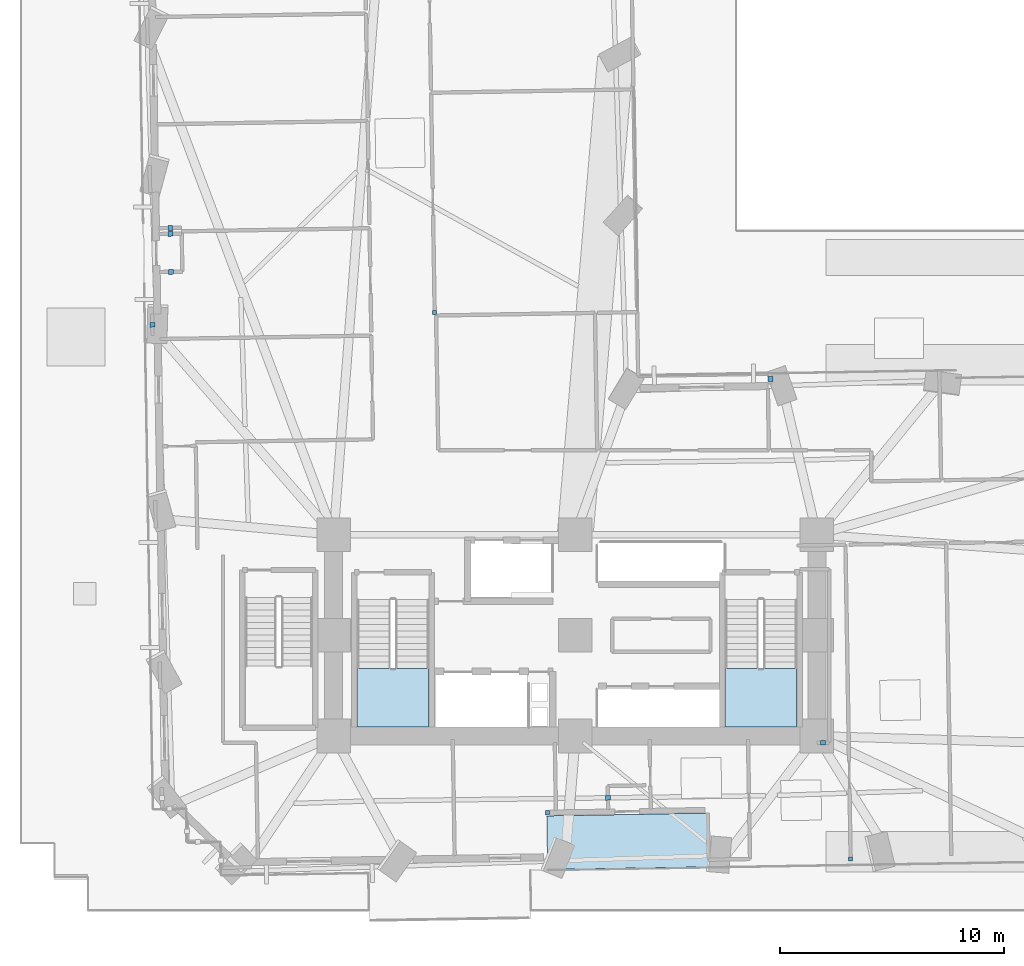
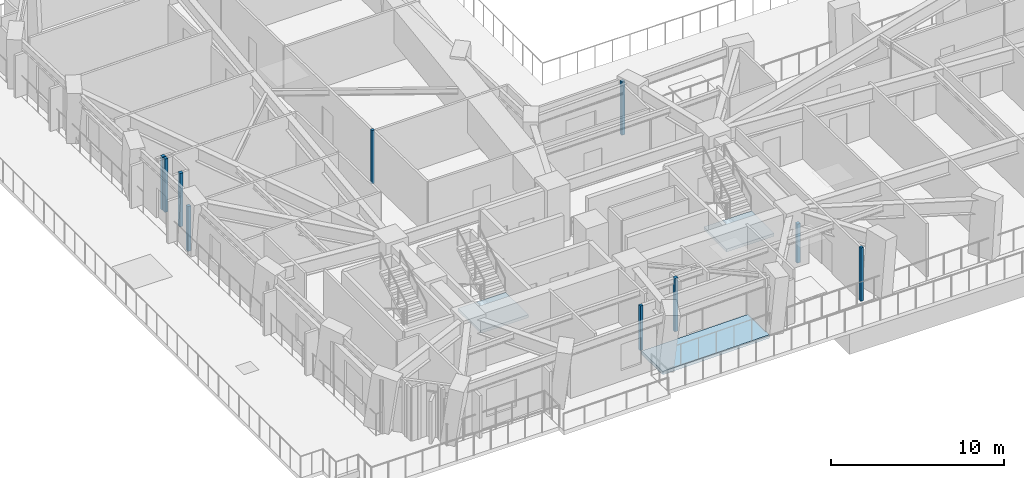
# One storey, part 3 of 17: 10 plates, 3 slabs, 2 elements without a shape of their own.
"""IFC4 building model written with IfcOpenShell, lengths in metres."""

from ifc_helpers import new_model, si_unit, direction, frame, origin, origin_2d, place, context, subcontext, project, spatial, polyline, rectangle, outline, extrude, material, layer, layer_set, type_object, element, aggregate, save


model = new_model("IFC4")

# Units and contexts
model_context = context("Model", 3, precision=1e-05, world=origin(), true_north=direction((0.0, 1.0)))
body_context = subcontext(model_context, "Body", "Model", "MODEL_VIEW")
ifc_project = project(units=[si_unit("LENGTHUNIT", "METRE"), si_unit("AREAUNIT", "SQUARE_METRE"), si_unit("VOLUMEUNIT", "CUBIC_METRE"), si_unit("PLANEANGLEUNIT", "RADIAN"), si_unit("MASSUNIT", "GRAM", prefix="KILO")], contexts=[model_context])

# Site, building, storey
site_placement = place(None, origin())
site = spatial("IfcSite", under=ifc_project, at=site_placement, CompositionType="ELEMENT")
building_placement = place(site_placement, origin())
building = spatial("IfcBuilding", under=site, at=building_placement, Name="Gaonmaruhae Medical Tower", CompositionType="ELEMENT")
storey_placement = place(building_placement, frame((0.0, 0.0, 27.0)))
storey = spatial("IfcBuildingStorey", under=building, at=storey_placement, Name="L05", CompositionType="ELEMENT", Elevation=27.0)

# Plates
ifc_material_1 = material(Name="Anodised aluminium 6063-T6", Category="aluminium")
ifc_layer_1 = layer(ifc_material_1, 0.011962890625)
ifc_layer_set_1 = layer_set([ifc_layer_1], Name="Anodised aluminium 6063-T6")
plate_type = type_object("IfcPlateType", Name="PP-01 Interior Partition Corner Stiffener Plate", PredefinedType="SHEET", material=ifc_layer_set_1)
plate_1_placement = place(storey_placement, frame((23.563232421875, 4.370849609375, 0.0), z_axis=(0.0, 0.0, 1.0), x_axis=(-0.999862544538, -0.016579868188, 0.0)))
element("IfcPlate", 1, at=plate_1_placement, inside=storey, type_object=plate_type, Name="L05 Partition End Jamb Post Plate PLT-L05-ENDP-TERB-1", PredefinedType="SHEET", context=body_context, shape_type="SweptSolid", body=[
    extrude(rectangle(XDim=0.179931640625, YDim=0.179931640625, at=origin_2d()), origin(), (0.0, 0.0, 1.0), 3.1650390625),
])
for number, where, z_axis, x_axis, name in (
    (2, (18.516357421875, 26.72998046875, 0.0), (0.0, 0.0, 1.0), (-0.016614769965, 0.999861965183, 0.0), "L05 Partition End Jamb Post Plate PLT-L05-ENDP-PW094-0"),
    (3, (37.11328125, 2.294921875, 0.0), (0.0, 0.0, 1.0), (0.016597319079, -0.999862255013, 0.0), "L05 Partition End Jamb Post Plate PLT-L05-ENDP-PW029-1"),
):
    element("IfcPlate", number, at=place(storey_placement, frame(where, z_axis=z_axis, x_axis=x_axis)), inside=storey, type_object=plate_type, Name=name, PredefinedType="SHEET", context=body_context, shape_type="SweptSolid", body=[
        extrude(rectangle(XDim=0.179931640625, YDim=0.179931640625, at=origin_2d()), origin(), (0.0, 0.0, 1.0), 3.780029296875),
    ])
plate_2_placement = place(storey_placement, frame((26.262451171875, 5.03857421875, 0.0), z_axis=(0.0, 0.0, 1.0), x_axis=(0.016108692241, -0.999870246599, 0.0)))
element("IfcPlate", 4, at=plate_2_placement, inside=storey, type_object=plate_type, Name="L05 Partition Corner Stiffener Plate PLT-L05-JGP-PW022", PredefinedType="SHEET", context=body_context, shape_type="SweptSolid", body=[
    extrude(rectangle(XDim=0.219970703125, YDim=0.219970703125, at=origin_2d()), origin(), (0.0, 0.0, 1.0), 3.780029296875),
])
plate_3_placement = place(storey_placement, frame((35.875, 7.5, 0.0), z_axis=(0.0, 0.0, 1.0), x_axis=(1.0, 0.0, 0.0)))
element("IfcPlate", 5, at=plate_3_placement, inside=storey, type_object=plate_type, Name="L05 Partition Corner Stiffener Plate PLT-L05-JGP-PW030", PredefinedType="SHEET", context=body_context, shape_type="SweptSolid", body=[
    extrude(rectangle(XDim=0.219970703125, YDim=0.219970703125, at=origin_2d()), origin(), (0.0, 0.0, 1.0), 2.764892578125),
])
plate_4_placement = place(storey_placement, frame((5.89306640625, 26.18603515625, 0.0), z_axis=(0.0, 0.0, 1.0), x_axis=(-0.016492613657, 0.999863987598, 0.0)))
element("IfcPlate", 6, at=plate_4_placement, inside=storey, type_object=plate_type, Name="L05 Partition Corner Stiffener Plate PLT-L05-JGP-PW051", PredefinedType="SHEET", context=body_context, shape_type="SweptSolid", body=[
    extrude(rectangle(XDim=0.219970703125, YDim=0.219970703125, at=origin_2d()), origin(), (0.0, 0.0, 1.0), 3.1650390625),
])
for number, where, z_axis, x_axis, name in (
    (7, (6.7265625, 28.553955078125, 0.0), (0.0, 0.0, 1.0), (0.999875808678, 0.015759670708, 0.0), "L05 Partition Corner Stiffener Plate PLT-L05-JGP-PW052"),
    (8, (6.698486328125, 30.25341796875, 0.0), (0.0, 0.0, 1.0), (-0.999859635577, -0.016754376869, 0.0), "L05 Partition Corner Stiffener Plate PLT-L05-JGP-PW054"),
    (9, (6.694091796875, 30.514404296875, 0.0), (0.0, 0.0, 1.0), (-0.999859635577, -0.016754376869, 0.0), "L05 Partition Corner Stiffener Plate PLT-L05-JGP-PW058"),
    (10, (33.527099609375, 23.765380859375, 0.0), (0.0, 0.0, 1.0), (-0.017120843432, 0.999853427618, 0.0), "L05 Partition Corner Stiffener Plate PLT-L05-JGP-PW081"),
):
    element("IfcPlate", number, at=place(storey_placement, frame(where, z_axis=z_axis, x_axis=x_axis)), inside=storey, type_object=plate_type, Name=name, PredefinedType="SHEET", context=body_context, shape_type="SweptSolid", body=[
        extrude(rectangle(XDim=0.219970703125, YDim=0.219970703125, at=origin_2d()), origin(), (0.0, 0.0, 1.0), 3.780029296875),
    ])

# Stair, slab
ifc_material_2 = material(Name="Concrete C40/50", Category="concrete")
stair_type = type_object("IfcStairType", Name="ST-T1 Primary Core Escape Dogleg Stair", PredefinedType="TWO_QUARTER_TURN_STAIR", material=ifc_material_2)
stair_1_placement = place(storey_placement, origin())
stair_1 = element("IfcStair", 11, at=stair_1_placement, inside=storey, type_object=stair_type, Name="L05 Protected Escape Stair ST-01", PredefinedType="TWO_QUARTER_TURN_STAIR")
ifc_layer_2 = layer(ifc_material_2, 0.199951171875)
ifc_layer_set_2 = layer_set([ifc_layer_2], Name="Concrete C40/50")
slab_type_1 = type_object("IfcSlabType", Name="SL-200 Stair & Ramp Intermediate Concrete Landing", PredefinedType="LANDING", material=ifc_layer_set_2)
slab_1_placement = place(storey_placement, frame((0.0, 0.0, 1.800048828125)))
slab_1 = element("IfcSlab", 12, at=slab_1_placement, type_object=slab_type_1, Name="ST-01 landing 1", PredefinedType="LANDING", context=body_context, shape_type="SweptSolid", body=[
    extrude(outline(polyline([(15.050048828125, 10.820068359375), (15.050048828125, 8.2041015625), (18.25, 8.2041015625), (18.25, 10.820068359375), (15.050048828125, 10.820068359375)])), origin(), (0.0, 0.0, 1.0), 0.199951171875),
])
aggregate(stair_1, [slab_1])

stair_2_placement = place(storey_placement, origin())
stair_2 = element("IfcStair", 13, at=stair_2_placement, inside=storey, type_object=stair_type, Name="L05 Protected Escape Stair ST-02", PredefinedType="TWO_QUARTER_TURN_STAIR")
slab_2_placement = place(storey_placement, frame((0.0, 0.0, 1.800048828125)))
slab_2 = element("IfcSlab", 14, at=slab_2_placement, type_object=slab_type_1, Name="ST-02 landing 1", PredefinedType="LANDING", context=body_context, shape_type="SweptSolid", body=[
    extrude(outline(polyline([(31.5, 10.820068359375), (31.5, 8.2041015625), (34.699951171875, 8.2041015625), (34.699951171875, 10.820068359375), (31.5, 10.820068359375)])), origin(), (0.0, 0.0, 1.0), 0.199951171875),
])
aggregate(stair_2, [slab_2])

# Slab
ifc_layer_3 = layer(ifc_material_2, 0.239990234375)
ifc_layer_set_3 = layer_set([ifc_layer_3], Name="Concrete C40/50")
slab_type_2 = type_object("IfcSlabType", Name="TS-240 Sky Garden & Recovery Terrace Slab", PredefinedType="FLOOR", material=ifc_layer_set_3)
slab_3_placement = place(storey_placement, frame((0.0, 0.0, -0.239990234375)))
element("IfcSlab", 15, at=slab_3_placement, inside=storey, type_object=slab_type_2, Name="L05 Outdoor Recovery Terrace Slab", PredefinedType="FLOOR", context=body_context, shape_type="SweptSolid", body=[
    extrude(outline(polyline([(23.5654296875, 1.83056640625), (30.764404296875, 1.949951171875), (30.724609375, 4.349609375), (23.525634765625, 4.230224609375), (23.5654296875, 1.83056640625)])), origin(), (0.0, 0.0, 1.0), 0.239990234375),
])

save(model, "model.ifc")
